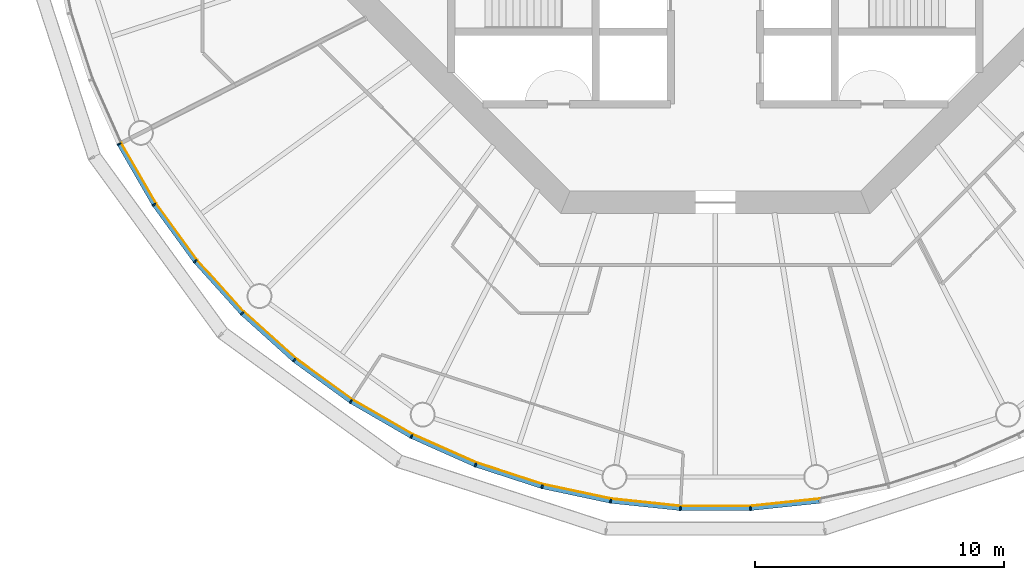
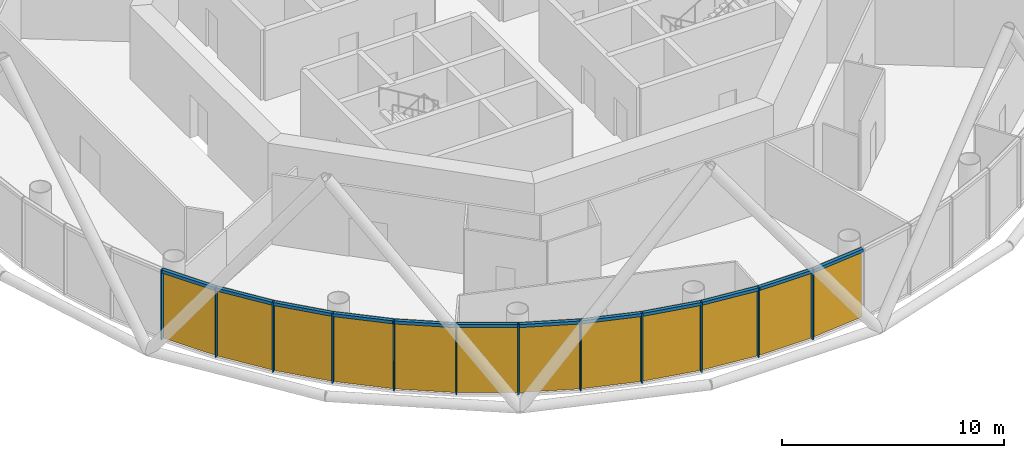
# One storey, part 7 of 13: 24 members, 4 curtain walls.
"""IFC4 building model written with IfcOpenShell, lengths in metres."""

import ifcopenshell
import ifcopenshell.guid

model = None  # the IFC model being written
_history = None  # IfcOwnerHistory: only IFC2X3 demands one
_inside = {}  # id of a spatial element -> (the spatial element, [elements in it])
_under = {}  # id of a project, library or spatial element -> (it, [spatial elements below it])
_declared = {}  # id of a project -> (the project, [libraries it declares])
_typed = {}  # id of a type object -> (the type object, [elements of that type])
_made_of = {}  # id of a material, layer set ... -> (it, [elements and type objects made of it])


def new_model(schema):
    """Start an empty IFC model of exactly this schema.

    Asked for "IFC4X3", IfcOpenShell would pick the latest addendum, in which some entities
    have other attributes; the version numbers below select the first issue.
    IFC2X3 requires an IfcOwnerHistory on every rooted entity: one is made here for all.
    """
    global model, _history
    if schema == "IFC4X3":
        model = ifcopenshell.file(schema_version=(4, 3, 0, 0))
    else:
        model = ifcopenshell.file(schema=schema)
    _inside.clear()
    _under.clear()
    _declared.clear()
    _typed.clear()
    _made_of.clear()
    _history = None
    if model.schema == "IFC2X3":
        org = make("IfcOrganization", Name="unknown")
        user = make(
            "IfcPersonAndOrganization",
            ThePerson=make("IfcPerson", FamilyName="unknown"),
            TheOrganization=org,
        )
        app = make(
            "IfcApplication",
            ApplicationDeveloper=org,
            Version="unknown",
            ApplicationFullName="unknown",
            ApplicationIdentifier="unknown",
        )
        _history = make(
            "IfcOwnerHistory",
            OwningUser=user,
            OwningApplication=app,
            ChangeAction="ADDED",
            CreationDate=0,
        )
    return model


def make(cls, **values):
    """One entity of the class cls with the attributes given. An attribute that is None is left unset."""
    return model.create_entity(
        cls, **{name: value for name, value in values.items() if value is not None}
    )


def rooted(cls, **values):
    """An entity with a GlobalId (a new one), such as an element, a storey or a relation."""
    return make(cls, GlobalId=ifcopenshell.guid.new(), OwnerHistory=_history, **values)


def si_unit(unit_type, name, prefix=None):
    """IfcSIUnit, for example si_unit("LENGTHUNIT", "METRE", prefix="MILLI")."""
    return make("IfcSIUnit", UnitType=unit_type, Prefix=prefix, Name=name)


def assignment(units):
    """IfcUnitAssignment: the units of a project."""
    return None if units is None else make("IfcUnitAssignment", Units=units)


def point(xyz):
    """IfcCartesianPoint."""
    return None if xyz is None else make("IfcCartesianPoint", Coordinates=xyz)


def direction(xyz):
    """IfcDirection."""
    return None if xyz is None else make("IfcDirection", DirectionRatios=xyz)


def frame(location, z_axis=None, x_axis=None):
    """IfcAxis2Placement3D, a coordinate frame: its origin and axes. An axis left out is left unset."""
    return make(
        "IfcAxis2Placement3D",
        Location=point(location),
        Axis=direction(z_axis),
        RefDirection=direction(x_axis),
    )


def frame_2d(location, x_axis=None):
    """IfcAxis2Placement2D, a coordinate frame in the plane: its origin and x axis."""
    return make(
        "IfcAxis2Placement2D", Location=point(location), RefDirection=direction(x_axis)
    )


def origin():
    """The frame at (0, 0, 0) with its axes left unset."""
    return frame((0.0, 0.0, 0.0))


def origin_2d():
    """The frame at (0, 0) in the plane with its x axis left unset."""
    return frame_2d((0.0, 0.0))


def place(relative_to, where):
    """IfcLocalPlacement: puts the frame where relative to a parent placement (None: the world)."""
    return make(
        "IfcLocalPlacement", PlacementRelTo=relative_to, RelativePlacement=where
    )


def context(
    kind, dimensions, precision=None, world=None, true_north=None, identifier=None
):
    """IfcGeometricRepresentationContext, for example the 3D "Model" context."""
    return make(
        "IfcGeometricRepresentationContext",
        ContextIdentifier=identifier,
        ContextType=kind,
        CoordinateSpaceDimension=dimensions,
        Precision=precision,
        WorldCoordinateSystem=world,
        TrueNorth=true_north,
    )


def subcontext(parent, identifier, kind, view, scale=None):
    """IfcGeometricRepresentationSubContext, for example "Body" below "Model"."""
    return make(
        "IfcGeometricRepresentationSubContext",
        ContextIdentifier=identifier,
        ContextType=kind,
        ParentContext=parent,
        TargetScale=scale,
        TargetView=view,
    )


def project(units=None, contexts=None):
    """IfcProject with its units and contexts."""
    return rooted(
        "IfcProject",
        Name="project",
        RepresentationContexts=contexts,
        UnitsInContext=assignment(units),
    )


def spatial(cls, under=None, at=None, **own):
    """A site, building, storey or space (cls), placed at a placement, below another one or the project."""
    s = rooted(cls, ObjectPlacement=at, **own)
    if under is not None:
        _under.setdefault(under.id(), (under, []))[1].append(s)
    return s


def polyline(points):
    """IfcPolyline through the points."""
    return make("IfcPolyline", Points=[point(p) for p in points])


def profile(cls, at=None, kind="AREA", **sizes):
    """A parametric profile (cls). Its sizes go by their IFC names, for example OverallWidth=200.0."""
    return make(cls, ProfileType=kind, Position=at, **sizes)


def rectangle(**sizes):
    """IfcRectangleProfileDef."""
    return profile("IfcRectangleProfileDef", **sizes)


def outline(outer, holes=None, kind="AREA"):
    """IfcArbitraryClosedProfileDef: a profile drawn as a closed curve; with holes, ...WithVoids."""
    if holes is None:
        return make("IfcArbitraryClosedProfileDef", ProfileType=kind, OuterCurve=outer)
    return make(
        "IfcArbitraryProfileDefWithVoids",
        ProfileType=kind,
        OuterCurve=outer,
        InnerCurves=holes,
    )


def extrude(swept, where, along, depth):
    """IfcExtrudedAreaSolid: the profile swept, set in the frame where, extruded along a direction by depth."""
    return make(
        "IfcExtrudedAreaSolid",
        SweptArea=swept,
        Position=where,
        ExtrudedDirection=direction(along),
        Depth=depth,
    )


def shape(context_of_items, identifier, shape_type, items):
    """IfcShapeRepresentation: the items that make up one representation, for example the "Body"."""
    return make(
        "IfcShapeRepresentation",
        ContextOfItems=context_of_items,
        RepresentationIdentifier=identifier,
        RepresentationType=shape_type,
        Items=items,
    )


def material(Name=None, Category=None):
    """IfcMaterial."""
    return make("IfcMaterial", Name=Name, Category=Category)


def layer(
    of_material, thickness, ventilated=None, Name=None, Category=None, Priority=None
):
    """IfcMaterialLayer: one layer of a wall or slab, of a material (None: an air gap)."""
    return make(
        "IfcMaterialLayer",
        Material=of_material,
        LayerThickness=thickness,
        IsVentilated=ventilated,
        Name=Name,
        Category=Category,
        Priority=Priority,
    )


def layer_set(layers, Name=None):
    """IfcMaterialLayerSet."""
    return make("IfcMaterialLayerSet", MaterialLayers=layers, LayerSetName=Name)


def material_profile(
    of_material, cross_section, Name=None, Category=None, Priority=None
):
    """IfcMaterialProfile: a cross section and its material."""
    return make(
        "IfcMaterialProfile",
        Name=Name,
        Material=of_material,
        Profile=cross_section,
        Priority=Priority,
        Category=Category,
    )


def profile_set(profiles, Name=None, composite=None):
    """IfcMaterialProfileSet."""
    return make(
        "IfcMaterialProfileSet",
        Name=Name,
        MaterialProfiles=profiles,
        CompositeProfile=composite,
    )


def made_of(thing, what):
    """Note that an element or type object is made of a material, layer set ...; save() writes the relation."""
    if what is not None:
        _made_of.setdefault(what.id(), (what, []))[1].append(thing)
    return thing


def type_object(cls, material=None, **own):
    """A type object (cls), such as IfcWallType, which elements share."""
    return made_of(rooted(cls, **own), material)


def element(
    cls,
    number,
    at=None,
    inside=None,
    cuts=None,
    type_object=None,
    material=None,
    context=None,
    identifier="Body",
    shape_type=None,
    held_by="IfcProductDefinitionShape",
    body=None,
    shapes=None,
    **own,
):
    """One element of the class cls, such as IfcWall. Its Tag is "e" and its number.

    at: its placement. inside: the storey or other place that contains it. cuts: it is an
    opening in that element (IfcRelVoidsElement). A single representation is given by context,
    identifier, shape_type and body (its items); several are given by shapes. held_by: the class
    of the entity that holds the representations. save() writes the other relations.
    """
    e = rooted(cls, Tag="e%d" % number, ObjectPlacement=at, **own)
    if body is not None:
        shapes = [shape(context, identifier, shape_type, body)]
    if shapes is not None:
        e.Representation = make(held_by, Representations=shapes)
    if inside is not None:
        _inside.setdefault(inside.id(), (inside, []))[1].append(e)
    if cuts is not None:
        rooted(
            "IfcRelVoidsElement", RelatingBuildingElement=cuts, RelatedOpeningElement=e
        )
    if type_object is not None:
        _typed.setdefault(type_object.id(), (type_object, []))[1].append(e)
    return made_of(e, material)


def aggregate(whole, parts):
    """IfcRelAggregates: a whole, such as a stair, and the parts it consists of."""
    return rooted("IfcRelAggregates", RelatingObject=whole, RelatedObjects=parts)


def save(model, path):
    """Write the relations noted so far, then the file.

    IfcRelAggregates (storeys below a building ...), IfcRelContainedInSpatialStructure (elements
    in a storey), IfcRelDefinesByType, IfcRelAssociatesMaterial and IfcRelDeclares: one each for
    every whole, place, type object, material and project.
    """
    for whole, parts in _under.values():
        aggregate(whole, parts)
    for where, things in _inside.values():
        rooted(
            "IfcRelContainedInSpatialStructure",
            RelatedElements=things,
            RelatingStructure=where,
        )
    for kind, things in _typed.values():
        rooted("IfcRelDefinesByType", RelatedObjects=things, RelatingType=kind)
    for what, things in _made_of.values():
        rooted("IfcRelAssociatesMaterial", RelatedObjects=things, RelatingMaterial=what)
    for by, libraries in _declared.values():
        rooted("IfcRelDeclares", RelatingContext=by, RelatedDefinitions=libraries)
    model.write(path)


model = new_model("IFC4")

# Units and contexts
model_context = context("Model", 3, precision=1e-05, world=origin(), true_north=direction((0.0, 1.0)))
body_context = subcontext(model_context, "Body", "Model", "MODEL_VIEW")
ifc_project = project(units=[si_unit("LENGTHUNIT", "METRE"), si_unit("AREAUNIT", "SQUARE_METRE"), si_unit("VOLUMEUNIT", "CUBIC_METRE"), si_unit("PLANEANGLEUNIT", "RADIAN"), si_unit("MASSUNIT", "GRAM", prefix="KILO")], contexts=[model_context])

# Member
ifc_material_1 = material(Name="Anodised aluminium", Category="aluminium")
ifc_material_profile_1 = material_profile(ifc_material_1, rectangle(XDim=0.06005859375, YDim=0.169921875, at=origin_2d()), Name="Mullion 60 x 170 mm anodised aluminium")
ifc_profile_set_1 = profile_set([ifc_material_profile_1], Name="Anodised aluminium")
member_type_1 = type_object("IfcMemberType", Name="Mullion 60 x 170 mm anodised aluminium", PredefinedType="MULLION", material=ifc_profile_set_1)
site_placement = place(None, origin())
building_placement = place(site_placement, origin())
storey_placement = place(building_placement, frame((0.0, 0.0, 218.0)))
member_1_placement = place(storey_placement, frame((66.04541015625, 67.79443359375, 0.0), z_axis=(0.0, 0.0, 1.0), x_axis=(0.45399049974, -0.891006524188, 0.0)))
member_1 = element("IfcMember", 1, at=member_1_placement, type_object=member_type_1, Name="MULLION L50-33", PredefinedType="MULLION", context=body_context, shape_type="SweptSolid", body=[
    extrude(rectangle(XDim=0.06005859375, YDim=0.169921875, at=origin_2d()), origin(), (0.0, 0.0, 1.0), 3.85009765625),
])

member_2_placement = place(storey_placement, frame((67.452392578125, 65.357421875, 0.0), z_axis=(0.0, 0.0, 1.0), x_axis=(0.544639035015, -0.838670567945, 0.0)))
member_2 = element("IfcMember", 2, at=member_2_placement, type_object=member_type_1, Name="MULLION L50-34", PredefinedType="MULLION", context=body_context, shape_type="SweptSolid", body=[
    extrude(rectangle(XDim=0.06005859375, YDim=0.169921875, at=origin_2d()), origin(), (0.0, 0.0, 1.0), 3.85009765625),
])

member_3_placement = place(storey_placement, frame((69.1064453125, 63.080810546875, 0.0), z_axis=(0.0, 0.0, 1.0), x_axis=(0.62932039105, -0.777145961457, 0.0)))
member_3 = element("IfcMember", 3, at=member_3_placement, type_object=member_type_1, Name="MULLION L50-35", PredefinedType="MULLION", context=body_context, shape_type="SweptSolid", body=[
    extrude(rectangle(XDim=0.06005859375, YDim=0.169921875, at=origin_2d()), origin(), (0.0, 0.0, 1.0), 3.85009765625),
])

member_4_placement = place(storey_placement, frame((70.989501953125, 60.989501953125, 0.0), z_axis=(0.0, 0.0, 1.0), x_axis=(0.707106781187, -0.707106781187, 0.0)))
member_4 = element("IfcMember", 4, at=member_4_placement, type_object=member_type_1, Name="MULLION L50-36", PredefinedType="MULLION", context=body_context, shape_type="SweptSolid", body=[
    extrude(rectangle(XDim=0.06005859375, YDim=0.169921875, at=origin_2d()), origin(), (0.0, 0.0, 1.0), 3.85009765625),
])

member_5_placement = place(storey_placement, frame((73.080810546875, 59.1064453125, 0.0), z_axis=(0.0, 0.0, 1.0), x_axis=(0.777145961457, -0.62932039105, 0.0)))
member_5 = element("IfcMember", 5, at=member_5_placement, type_object=member_type_1, Name="MULLION L50-37", PredefinedType="MULLION", context=body_context, shape_type="SweptSolid", body=[
    extrude(rectangle(XDim=0.06005859375, YDim=0.169921875, at=origin_2d()), origin(), (0.0, 0.0, 1.0), 3.85009765625),
])

member_6_placement = place(storey_placement, frame((75.357421875, 57.452392578125, 0.0), z_axis=(0.0, 0.0, 1.0), x_axis=(0.838670567945, -0.544639035015, 0.0)))
member_6 = element("IfcMember", 6, at=member_6_placement, type_object=member_type_1, Name="MULLION L50-38", PredefinedType="MULLION", context=body_context, shape_type="SweptSolid", body=[
    extrude(rectangle(XDim=0.06005859375, YDim=0.169921875, at=origin_2d()), origin(), (0.0, 0.0, 1.0), 3.85009765625),
])

member_7_placement = place(storey_placement, frame((77.79443359375, 56.04541015625, 0.0), z_axis=(0.0, 0.0, 1.0), x_axis=(0.891006524188, -0.45399049974, 0.0)))
member_7 = element("IfcMember", 7, at=member_7_placement, type_object=member_type_1, Name="MULLION L50-39", PredefinedType="MULLION", context=body_context, shape_type="SweptSolid", body=[
    extrude(rectangle(XDim=0.06005859375, YDim=0.169921875, at=origin_2d()), origin(), (0.0, 0.0, 1.0), 3.85009765625),
])

member_8_placement = place(storey_placement, frame((80.365234375, 54.900634765625, 0.0), z_axis=(0.0, 0.0, 1.0), x_axis=(0.933580426497, -0.358367949545, 0.0)))
member_8 = element("IfcMember", 8, at=member_8_placement, type_object=member_type_1, Name="MULLION L50-40", PredefinedType="MULLION", context=body_context, shape_type="SweptSolid", body=[
    extrude(rectangle(XDim=0.06005859375, YDim=0.169921875, at=origin_2d()), origin(), (0.0, 0.0, 1.0), 3.85009765625),
])

member_9_placement = place(storey_placement, frame((83.041748046875, 54.031005859375, 0.0), z_axis=(0.0, 0.0, 1.0), x_axis=(0.965925826289, -0.258819045103, 0.0)))
member_9 = element("IfcMember", 9, at=member_9_placement, type_object=member_type_1, Name="MULLION L50-41", PredefinedType="MULLION", context=body_context, shape_type="SweptSolid", body=[
    extrude(rectangle(XDim=0.06005859375, YDim=0.169921875, at=origin_2d()), origin(), (0.0, 0.0, 1.0), 3.85009765625),
])

member_10_placement = place(storey_placement, frame((85.794189453125, 53.446044921875, 0.0), z_axis=(0.0, 0.0, 1.0), x_axis=(0.987688340595, -0.15643446504, 0.0)))
member_10 = element("IfcMember", 10, at=member_10_placement, type_object=member_type_1, Name="MULLION L50-42", PredefinedType="MULLION", context=body_context, shape_type="SweptSolid", body=[
    extrude(rectangle(XDim=0.06005859375, YDim=0.169921875, at=origin_2d()), origin(), (0.0, 0.0, 1.0), 3.85009765625),
])

member_11_placement = place(storey_placement, frame((88.593017578125, 53.15185546875, 0.0), z_axis=(0.0, 0.0, 1.0), x_axis=(0.998629534755, -0.052335956243, 0.0)))
member_11 = element("IfcMember", 11, at=member_11_placement, type_object=member_type_1, Name="MULLION L50-43", PredefinedType="MULLION", context=body_context, shape_type="SweptSolid", body=[
    extrude(rectangle(XDim=0.06005859375, YDim=0.169921875, at=origin_2d()), origin(), (0.0, 0.0, 1.0), 3.85009765625),
])

member_12_placement = place(storey_placement, frame((91.406982421875, 53.15185546875, 0.0), z_axis=(0.0, 0.0, 1.0), x_axis=(0.998629534755, 0.052335956243, 0.0)))
member_12 = element("IfcMember", 12, at=member_12_placement, type_object=member_type_1, Name="MULLION L50-44", PredefinedType="MULLION", context=body_context, shape_type="SweptSolid", body=[
    extrude(rectangle(XDim=0.06005859375, YDim=0.169921875, at=origin_2d()), origin(), (0.0, 0.0, 1.0), 3.85009765625),
])

ifc_material_2 = material(Name="Anodised aluminium", Category="aluminium")
ifc_material_profile_2 = material_profile(ifc_material_2, rectangle(XDim=0.169921875, YDim=0.1650390625, at=origin_2d()), Name="Transom 165 x 170 mm anodised aluminium")
ifc_profile_set_2 = profile_set([ifc_material_profile_2], Name="Anodised aluminium")
member_type_2 = type_object("IfcMemberType", Name="Transom 165 x 170 mm anodised aluminium", PredefinedType="USERDEFINED", material=ifc_profile_set_2)
member_13_placement = place(storey_placement, frame((66.0625, 67.7646484375, 3.767578125), z_axis=(0.49998419723, -0.866034527326, 0.0), x_axis=(0.866034527326, 0.49998419723, 0.0)))
member_13 = element("IfcMember", 13, at=member_13_placement, type_object=member_type_2, Name="TRANSOM L50-33", ObjectType="TRANSOM", PredefinedType="USERDEFINED", context=body_context, shape_type="SweptSolid", body=[
    extrude(rectangle(XDim=0.169921875, YDim=0.1650390625, at=origin_2d()), origin(), (0.0, 0.0, 1.0), 2.7451171875),
])

member_14_placement = place(storey_placement, frame((67.472412109375, 65.329345703125, 3.767578125), z_axis=(0.587864947412, -0.808959086484, 0.0), x_axis=(0.808959086484, 0.587864947412, 0.0)))
member_14 = element("IfcMember", 14, at=member_14_placement, type_object=member_type_2, Name="TRANSOM L50-34", ObjectType="TRANSOM", PredefinedType="USERDEFINED", context=body_context, shape_type="SweptSolid", body=[
    extrude(rectangle(XDim=0.169921875, YDim=0.1650390625, at=origin_2d()), origin(), (0.0, 0.0, 1.0), 2.7451171875),
])

member_15_placement = place(storey_placement, frame((69.12939453125, 63.054931640625, 3.767578125), z_axis=(0.669141598561, -0.743134927907, 0.0), x_axis=(0.743134927907, 0.669141598561, 0.0)))
member_15 = element("IfcMember", 15, at=member_15_placement, type_object=member_type_2, Name="TRANSOM L50-35", ObjectType="TRANSOM", PredefinedType="USERDEFINED", context=body_context, shape_type="SweptSolid", body=[
    extrude(rectangle(XDim=0.169921875, YDim=0.1650390625, at=origin_2d()), origin(), (0.0, 0.0, 1.0), 2.7451171875),
])

member_16_placement = place(storey_placement, frame((71.014892578125, 60.96630859375, 3.767578125), z_axis=(0.743134927907, -0.669141598561, 0.0), x_axis=(0.669141598561, 0.743134927907, 0.0)))
member_16 = element("IfcMember", 16, at=member_16_placement, type_object=member_type_2, Name="TRANSOM L50-36", ObjectType="TRANSOM", PredefinedType="USERDEFINED", context=body_context, shape_type="SweptSolid", body=[
    extrude(rectangle(XDim=0.169921875, YDim=0.1650390625, at=origin_2d()), origin(), (0.0, 0.0, 1.0), 2.7451171875),
])

member_17_placement = place(storey_placement, frame((73.108642578125, 59.086181640625, 3.767578125), z_axis=(0.808959086484, -0.587864947412, 0.0), x_axis=(0.587864947412, 0.808959086484, 0.0)))
member_17 = element("IfcMember", 17, at=member_17_placement, type_object=member_type_2, Name="TRANSOM L50-37", ObjectType="TRANSOM", PredefinedType="USERDEFINED", context=body_context, shape_type="SweptSolid", body=[
    extrude(rectangle(XDim=0.169921875, YDim=0.1650390625, at=origin_2d()), origin(), (0.0, 0.0, 1.0), 2.7451171875),
])

member_18_placement = place(storey_placement, frame((75.38720703125, 57.43505859375, 3.767578125), z_axis=(0.866034527326, -0.49998419723, 0.0), x_axis=(0.49998419723, 0.866034527326, 0.0)))
member_18 = element("IfcMember", 18, at=member_18_placement, type_object=member_type_2, Name="TRANSOM L50-38", ObjectType="TRANSOM", PredefinedType="USERDEFINED", context=body_context, shape_type="SweptSolid", body=[
    extrude(rectangle(XDim=0.169921875, YDim=0.1650390625, at=origin_2d()), origin(), (0.0, 0.0, 1.0), 2.7451171875),
])

member_19_placement = place(storey_placement, frame((77.825927734375, 56.03125, 3.767578125), z_axis=(0.913525267704, -0.406781987391, 0.0), x_axis=(0.406781987391, 0.913525267704, 0.0)))
member_19 = element("IfcMember", 19, at=member_19_placement, type_object=member_type_2, Name="TRANSOM L50-39", ObjectType="TRANSOM", PredefinedType="USERDEFINED", context=body_context, shape_type="SweptSolid", body=[
    extrude(rectangle(XDim=0.169921875, YDim=0.1650390625, at=origin_2d()), origin(), (0.0, 0.0, 1.0), 2.7451171875),
])

member_20_placement = place(storey_placement, frame((80.39794921875, 54.889892578125, 3.767578125), z_axis=(0.951048445774, -0.309041831781, 0.0), x_axis=(0.309041831781, 0.951048445774, 0.0)))
member_20 = element("IfcMember", 20, at=member_20_placement, type_object=member_type_2, Name="TRANSOM L50-40", ObjectType="TRANSOM", PredefinedType="USERDEFINED", context=body_context, shape_type="SweptSolid", body=[
    extrude(rectangle(XDim=0.169921875, YDim=0.1650390625, at=origin_2d()), origin(), (0.0, 0.0, 1.0), 2.7451171875),
])

member_21_placement = place(storey_placement, frame((83.075439453125, 54.02392578125, 3.767578125), z_axis=(0.97814212115, -0.207937468562, 0.0), x_axis=(0.207937468562, 0.97814212115, 0.0)))
member_21 = element("IfcMember", 21, at=member_21_placement, type_object=member_type_2, Name="TRANSOM L50-41", ObjectType="TRANSOM", PredefinedType="USERDEFINED", context=body_context, shape_type="SweptSolid", body=[
    extrude(rectangle(XDim=0.169921875, YDim=0.1650390625, at=origin_2d()), origin(), (0.0, 0.0, 1.0), 2.7451171875),
])

member_22_placement = place(storey_placement, frame((85.82861328125, 53.4423828125, 3.767578125), z_axis=(0.994515195344, -0.104592190102, 0.0), x_axis=(0.104592190102, 0.994515195344, 0.0)))
member_22 = element("IfcMember", 22, at=member_22_placement, type_object=member_type_2, Name="TRANSOM L50-42", ObjectType="TRANSOM", PredefinedType="USERDEFINED", context=body_context, shape_type="SweptSolid", body=[
    extrude(rectangle(XDim=0.169921875, YDim=0.1650390625, at=origin_2d()), origin(), (0.0, 0.0, 1.0), 2.7451171875),
])

member_23_placement = place(storey_placement, frame((88.62744140625, 53.151611328125, 3.767578125), z_axis=(1.0, 0.0, 0.0), x_axis=(0.0, 1.0, 0.0)))
member_23 = element("IfcMember", 23, at=member_23_placement, type_object=member_type_2, Name="TRANSOM L50-43", ObjectType="TRANSOM", PredefinedType="USERDEFINED", context=body_context, shape_type="SweptSolid", body=[
    extrude(rectangle(XDim=0.169921875, YDim=0.1650390625, at=origin_2d()), origin(), (0.0, 0.0, 1.0), 2.7451171875),
])

member_24_placement = place(storey_placement, frame((91.44140625, 53.1552734375, 3.767578125), z_axis=(0.994515195344, 0.104592190102, 0.0), x_axis=(-0.104592190102, 0.994515195344, 0.0)))
member_24 = element("IfcMember", 24, at=member_24_placement, type_object=member_type_2, Name="TRANSOM L50-44", ObjectType="TRANSOM", PredefinedType="USERDEFINED", context=body_context, shape_type="SweptSolid", body=[
    extrude(rectangle(XDim=0.169921875, YDim=0.1650390625, at=origin_2d()), origin(), (0.0, 0.0, 1.0), 2.7451171875),
])

# Site, building, storey
site = spatial("IfcSite", under=ifc_project, at=site_placement, CompositionType="ELEMENT")
building = spatial("IfcBuilding", under=site, at=building_placement, Name="Entoto Ring Tower", CompositionType="ELEMENT")
storey = spatial("IfcBuildingStorey", under=building, at=storey_placement, Name="L50", CompositionType="ELEMENT", Elevation=218.0)

# Curtain wall
ifc_material_3 = material(Name="Clear low-iron glass", Category="glass")
ifc_layer = layer(ifc_material_3, 0.031982421875)
ifc_layer_set = layer_set([ifc_layer], Name="Clear low-iron glass")
curtain_wall_type = type_object("IfcCurtainWallType", Name="Curtain wall system CW4 glazing 32 mm", PredefinedType="NOTDEFINED", material=ifc_layer_set)
curtain_wall_1_placement = place(storey_placement, origin())
curtain_wall_1 = element("IfcCurtainWall", 25, at=curtain_wall_1_placement, inside=storey, type_object=curtain_wall_type, Name="CW4 L50-12", PredefinedType="NOTDEFINED", context=body_context, shape_type="SweptSolid", body=[
    extrude(outline(polyline([(66.12109375, 67.8330078125), (67.523681640625, 65.403564453125), (69.172607421875, 63.13427734375), (71.049560546875, 61.049560546875), (71.072265625, 61.072265625), (69.197509765625, 63.154296875), (67.550537109375, 65.421142578125), (66.149658203125, 67.84765625), (66.12109375, 67.8330078125)])), origin(), (0.0, 0.0, 1.0), 3.85009765625),
])

aggregate(curtain_wall_1, [member_1, member_2, member_3, member_13, member_14, member_15])

curtain_wall_2_placement = place(storey_placement, origin())
curtain_wall_2 = element("IfcCurtainWall", 26, at=curtain_wall_2_placement, inside=storey, type_object=curtain_wall_type, Name="CW4 L50-13", PredefinedType="NOTDEFINED", context=body_context, shape_type="SweptSolid", body=[
    extrude(outline(polyline([(71.049560546875, 61.049560546875), (73.13427734375, 59.172607421875), (75.403564453125, 57.523681640625), (77.8330078125, 56.12109375), (77.84765625, 56.149658203125), (75.421142578125, 57.550537109375), (73.154296875, 59.197509765625), (71.072265625, 61.072265625), (71.049560546875, 61.049560546875)])), origin(), (0.0, 0.0, 1.0), 3.85009765625),
])

aggregate(curtain_wall_2, [member_4, member_5, member_6, member_16, member_17, member_18])

curtain_wall_3_placement = place(storey_placement, origin())
curtain_wall_3 = element("IfcCurtainWall", 27, at=curtain_wall_3_placement, inside=storey, type_object=curtain_wall_type, Name="CW4 L50-14", PredefinedType="NOTDEFINED", context=body_context, shape_type="SweptSolid", body=[
    extrude(outline(polyline([(77.8330078125, 56.12109375), (80.395751953125, 54.97998046875), (83.063720703125, 54.11328125), (85.8076171875, 53.530029296875), (85.8125, 53.5615234375), (83.072021484375, 54.14404296875), (80.4072265625, 55.010009765625), (77.84765625, 56.149658203125), (77.8330078125, 56.12109375)])), origin(), (0.0, 0.0, 1.0), 3.85009765625),
])

aggregate(curtain_wall_3, [member_7, member_8, member_9, member_19, member_20, member_21])

curtain_wall_4_placement = place(storey_placement, origin())
curtain_wall_4 = element("IfcCurtainWall", 28, at=curtain_wall_4_placement, inside=storey, type_object=curtain_wall_type, Name="CW4 L50-15", PredefinedType="NOTDEFINED", context=body_context, shape_type="SweptSolid", body=[
    extrude(outline(polyline([(85.8076171875, 53.530029296875), (88.597412109375, 53.23681640625), (91.402587890625, 53.23681640625), (94.1923828125, 53.530029296875), (94.1875, 53.5615234375), (91.40087890625, 53.268798828125), (88.59912109375, 53.268798828125), (85.8125, 53.5615234375), (85.8076171875, 53.530029296875)])), origin(), (0.0, 0.0, 1.0), 3.85009765625),
])

aggregate(curtain_wall_4, [member_10, member_11, member_12, member_22, member_23, member_24])

save(model, "model.ifc")
